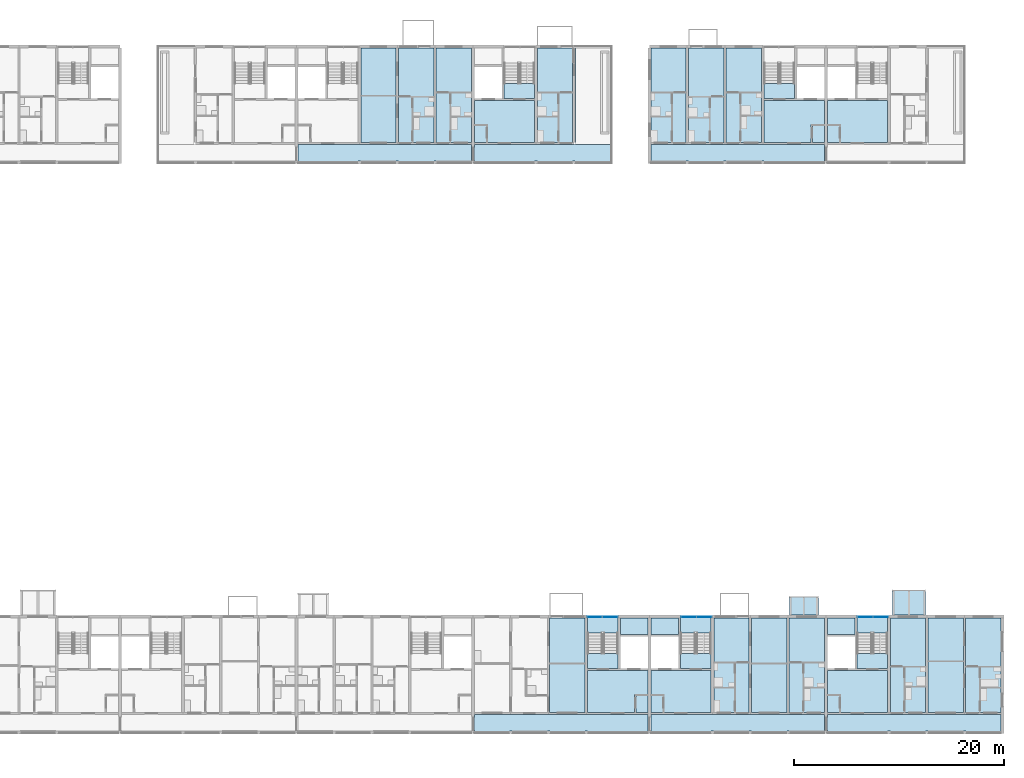
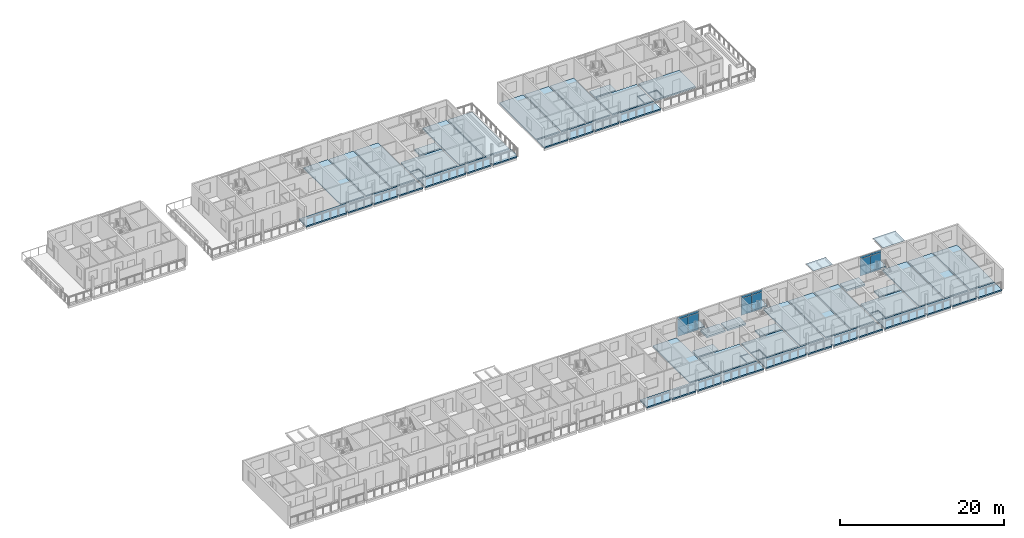
# One storey, part 31 of 94: 46 slabs, 12 plates, 6 elements without a shape of their own.
"""IFC4 building model written with IfcOpenShell, lengths in metres."""

from ifc_helpers import new_model, si_unit, direction, frame, origin, origin_2d, place, context, subcontext, project, spatial, polyline, rectangle, outline, extrude, material, layer, layer_set, type_object, element, aggregate, save


model = new_model("IFC4")

# Units and contexts
model_context = context("Model", 3, precision=1e-05, world=origin(), true_north=direction((0.0, 1.0)))
body_context = subcontext(model_context, "Body", "Model", "MODEL_VIEW")
ifc_project = project(units=[si_unit("LENGTHUNIT", "METRE"), si_unit("AREAUNIT", "SQUARE_METRE"), si_unit("VOLUMEUNIT", "CUBIC_METRE"), si_unit("PLANEANGLEUNIT", "RADIAN"), si_unit("MASSUNIT", "GRAM", prefix="KILO")], contexts=[model_context])

# Site, building, storey
site_placement = place(None, origin())
site = spatial("IfcSite", under=ifc_project, at=site_placement, CompositionType="ELEMENT")
building_placement = place(site_placement, origin())
building = spatial("IfcBuilding", under=site, at=building_placement, Name="Ridgestep Commons", CompositionType="ELEMENT")
storey_placement = place(building_placement, frame((0.0, 0.0, 24.0)))
storey = spatial("IfcBuildingStorey", under=building, at=storey_placement, Name="L08", CompositionType="ELEMENT", Elevation=24.0)

# Slabs
ifc_material_1 = material(Name="Precast concrete C40/50", Category="concrete")
ifc_layer_1 = layer(ifc_material_1, 0.199951171875)
ifc_layer_set_1 = layer_set([ifc_layer_1], Name="Gallery slab 200")
slab_type_1 = type_object("IfcSlabType", Name="Gallery slab 200", PredefinedType="FLOOR", material=ifc_layer_set_1)
slab_1_placement = place(storey_placement, frame((0.0, 0.0, -0.199951171875)))
element("IfcSlab", 1, at=slab_1_placement, inside=storey, type_object=slab_type_1, Name="Gallery slab C3 L08", PredefinedType="FLOOR", context=body_context, shape_type="SweptSolid", body=[
    extrude(outline(polyline([(197.050048828125, 67.800048828125), (180.550048828125, 67.800048828125), (180.550048828125, 66.0), (186.27490234375, 66.0), (186.27490234375, 66.25), (186.52490234375, 66.25), (186.52490234375, 66.0), (189.875, 66.0), (189.875, 66.25), (190.125, 66.25), (190.125, 66.0), (193.47509765625, 66.0), (193.47509765625, 66.25), (193.72509765625, 66.25), (193.72509765625, 66.0), (197.050048828125, 66.0), (197.050048828125, 67.800048828125)])), origin(), (0.0, 0.0, 1.0), 0.199951171875),
])
slab_2_placement = place(storey_placement, frame((0.0, 0.0, -0.199951171875)))
element("IfcSlab", 2, at=slab_2_placement, inside=storey, type_object=slab_type_1, Name="Gallery slab C4 L08", PredefinedType="FLOOR", context=body_context, shape_type="SweptSolid", body=[
    extrude(outline(polyline([(210.39990234375, 67.800048828125), (197.35009765625, 67.800048828125), (197.35009765625, 66.0), (203.074951171875, 66.0), (203.074951171875, 66.25), (203.324951171875, 66.25), (203.324951171875, 66.0), (206.675048828125, 66.0), (206.675048828125, 66.25), (206.925048828125, 66.25), (206.925048828125, 66.0), (210.27490234375, 66.0), (210.27490234375, 66.25), (210.39990234375, 66.25), (210.39990234375, 67.800048828125)])), origin(), (0.0, 0.0, 1.0), 0.199951171875),
])
slab_3_placement = place(storey_placement, frame((0.0, 0.0, -0.199951171875)))
element("IfcSlab", 3, at=slab_3_placement, inside=storey, type_object=slab_type_1, Name="Gallery slab C5 L08", PredefinedType="FLOOR", context=body_context, shape_type="SweptSolid", body=[
    extrude(outline(polyline([(230.64990234375, 67.800048828125), (214.14990234375, 67.800048828125), (214.14990234375, 66.0), (217.47509765625, 66.0), (217.47509765625, 66.25), (217.72509765625, 66.25), (217.72509765625, 66.0), (221.074951171875, 66.0), (221.074951171875, 66.25), (221.324951171875, 66.25), (221.324951171875, 66.0), (224.675048828125, 66.0), (224.675048828125, 66.25), (224.925048828125, 66.25), (224.925048828125, 66.0), (230.64990234375, 66.0), (230.64990234375, 67.800048828125)])), origin(), (0.0, 0.0, 1.0), 0.199951171875),
])
slab_4_placement = place(storey_placement, frame((0.0, 0.0, -0.199951171875)))
element("IfcSlab", 4, at=slab_4_placement, inside=storey, type_object=slab_type_1, Name="Gallery slab D4 L08", PredefinedType="FLOOR", context=body_context, shape_type="SweptSolid", body=[
    extrude(outline(polyline([(213.85009765625, 13.550048828125), (197.35009765625, 13.550048828125), (197.35009765625, 11.75), (200.675048828125, 11.75), (200.675048828125, 12.0), (200.925048828125, 12.0), (200.925048828125, 11.75), (204.27490234375, 11.75), (204.27490234375, 12.0), (204.52490234375, 12.0), (204.52490234375, 11.75), (207.875, 11.75), (207.875, 12.0), (208.125, 12.0), (208.125, 11.75), (213.85009765625, 11.75), (213.85009765625, 13.550048828125)])), origin(), (0.0, 0.0, 1.0), 0.199951171875),
])
slab_5_placement = place(storey_placement, frame((0.0, 0.0, -0.199951171875)))
element("IfcSlab", 5, at=slab_5_placement, inside=storey, type_object=slab_type_1, Name="Gallery slab D5 L08", PredefinedType="FLOOR", context=body_context, shape_type="SweptSolid", body=[
    extrude(outline(polyline([(230.64990234375, 13.550048828125), (214.14990234375, 13.550048828125), (214.14990234375, 11.75), (219.875, 11.75), (219.875, 12.0), (220.125, 12.0), (220.125, 11.75), (223.47509765625, 11.75), (223.47509765625, 12.0), (223.72509765625, 12.0), (223.72509765625, 11.75), (227.074951171875, 11.75), (227.074951171875, 12.0), (227.324951171875, 12.0), (227.324951171875, 11.75), (230.64990234375, 11.75), (230.64990234375, 13.550048828125)])), origin(), (0.0, 0.0, 1.0), 0.199951171875),
])
slab_6_placement = place(storey_placement, frame((0.0, 0.0, -0.199951171875)))
element("IfcSlab", 6, at=slab_6_placement, inside=storey, type_object=slab_type_1, Name="Gallery slab D6 L08", PredefinedType="FLOOR", context=body_context, shape_type="SweptSolid", body=[
    extrude(outline(polyline([(247.449951171875, 13.550048828125), (230.949951171875, 13.550048828125), (230.949951171875, 11.75), (236.675048828125, 11.75), (236.675048828125, 12.0), (236.925048828125, 12.0), (236.925048828125, 11.75), (240.27490234375, 11.75), (240.27490234375, 12.0), (240.52490234375, 12.0), (240.52490234375, 11.75), (243.875, 11.75), (243.875, 12.0), (244.125, 12.0), (244.125, 11.75), (247.449951171875, 11.75), (247.449951171875, 13.550048828125)])), origin(), (0.0, 0.0, 1.0), 0.199951171875),
])

# Curtain wall, plates
ifc_material_2 = material(Name="Aluminium 6063-T6 and glass", Category="aluminium")
curtain_wall_type = type_object("IfcCurtainWallType", Name="Curtain wall stair strip", PredefinedType="NOTDEFINED", material=ifc_material_2)
curtain_wall_1_placement = place(storey_placement, origin())
curtain_wall_1 = element("IfcCurtainWall", 7, at=curtain_wall_1_placement, inside=storey, type_object=curtain_wall_type, Name="Curtain wall D4C level 08", PredefinedType="NOTDEFINED")
ifc_material_3 = material(Name="Glass laminated 6/16/6 low-emissivity", Category="glass")
ifc_layer_2 = layer(ifc_material_3, 0.028076171875)
ifc_layer_set_2 = layer_set([ifc_layer_2], Name="Glazing panel 28")
plate_type_1 = type_object("IfcPlateType", Name="Glazing panel 28", PredefinedType="CURTAIN_PANEL", material=ifc_layer_set_2)
plate_1_placement = place(storey_placement, frame((208.771240234375, 22.830078125, 0.06005859375), z_axis=(0.0, 0.0, 1.0), x_axis=(1.0, 0.0, 0.0)))
plate_1 = element("IfcPlate", 8, at=plate_1_placement, type_object=plate_type_1, Name="CW1 panel 1.1", PredefinedType="CURTAIN_PANEL", context=body_context, shape_type="SweptSolid", body=[
    extrude(rectangle(XDim=1.422607421875, YDim=0.028076171875, at=origin_2d()), origin(), (0.0, 0.0, 1.0), 2.5),
])
plate_2_placement = place(storey_placement, frame((210.253662109375, 22.830078125, 0.06005859375), z_axis=(0.0, 0.0, 1.0), x_axis=(1.0, 0.0, 0.0)))
plate_2 = element("IfcPlate", 9, at=plate_2_placement, type_object=plate_type_1, Name="CW1 panel 2.1", PredefinedType="CURTAIN_PANEL", context=body_context, shape_type="SweptSolid", body=[
    extrude(rectangle(XDim=1.422607421875, YDim=0.028076171875, at=origin_2d()), origin(), (0.0, 0.0, 1.0), 2.5),
])

curtain_wall_2_placement = place(storey_placement, origin())
curtain_wall_2 = element("IfcCurtainWall", 10, at=curtain_wall_2_placement, inside=storey, type_object=curtain_wall_type, Name="Curtain wall D5C level 08", PredefinedType="NOTDEFINED")
plate_3_placement = place(storey_placement, frame((217.746337890625, 22.830078125, 0.06005859375), z_axis=(0.0, 0.0, 1.0), x_axis=(1.0, 0.0, 0.0)))
plate_3 = element("IfcPlate", 11, at=plate_3_placement, type_object=plate_type_1, Name="CW1 panel 1.1", PredefinedType="CURTAIN_PANEL", context=body_context, shape_type="SweptSolid", body=[
    extrude(rectangle(XDim=1.422607421875, YDim=0.028076171875, at=origin_2d()), origin(), (0.0, 0.0, 1.0), 2.5),
])
plate_4_placement = place(storey_placement, frame((219.228759765625, 22.830078125, 0.06005859375), z_axis=(0.0, 0.0, 1.0), x_axis=(1.0, 0.0, 0.0)))
plate_4 = element("IfcPlate", 12, at=plate_4_placement, type_object=plate_type_1, Name="CW1 panel 2.1", PredefinedType="CURTAIN_PANEL", context=body_context, shape_type="SweptSolid", body=[
    extrude(rectangle(XDim=1.422607421875, YDim=0.028076171875, at=origin_2d()), origin(), (0.0, 0.0, 1.0), 2.5),
])

curtain_wall_3_placement = place(storey_placement, origin())
curtain_wall_3 = element("IfcCurtainWall", 13, at=curtain_wall_3_placement, inside=storey, type_object=curtain_wall_type, Name="Curtain wall D6C level 08", PredefinedType="NOTDEFINED")
plate_5_placement = place(storey_placement, frame((234.546142578125, 22.830078125, 0.06005859375), z_axis=(0.0, 0.0, 1.0), x_axis=(1.0, 0.0, 0.0)))
plate_5 = element("IfcPlate", 14, at=plate_5_placement, type_object=plate_type_1, Name="CW1 panel 1.1", PredefinedType="CURTAIN_PANEL", context=body_context, shape_type="SweptSolid", body=[
    extrude(rectangle(XDim=1.422607421875, YDim=0.028076171875, at=origin_2d()), origin(), (0.0, 0.0, 1.0), 2.5),
])
plate_6_placement = place(storey_placement, frame((236.02880859375, 22.830078125, 0.06005859375), z_axis=(0.0, 0.0, 1.0), x_axis=(1.0, 0.0, 0.0)))
plate_6 = element("IfcPlate", 15, at=plate_6_placement, type_object=plate_type_1, Name="CW1 panel 2.1", PredefinedType="CURTAIN_PANEL", context=body_context, shape_type="SweptSolid", body=[
    extrude(rectangle(XDim=1.422607421875, YDim=0.028076171875, at=origin_2d()), origin(), (0.0, 0.0, 1.0), 2.5),
])

# Slabs
ifc_material_4 = material(Name="Precast concrete C50/60", Category="concrete")
ifc_layer_3 = layer(ifc_material_4, 0.199951171875)
ifc_layer_set_3 = layer_set([ifc_layer_3], Name="Hollow-core plank 200")
slab_type_2 = type_object("IfcSlabType", Name="Hollow-core plank 200", PredefinedType="FLOOR", material=ifc_layer_set_3)
slab_7_placement = place(storey_placement, frame((0.0, 0.0, -0.199951171875)))
element("IfcSlab", 16, at=slab_7_placement, inside=storey, type_object=slab_type_2, Name="Floor plank C3T3 L08", PredefinedType="FLOOR", context=body_context, shape_type="SweptSolid", body=[
    extrude(outline(polyline([(189.89990234375, 68.0), (189.89990234375, 77.0), (186.52490234375, 77.0), (186.52490234375, 68.0), (189.89990234375, 68.0)])), origin(), (0.0, 0.0, 1.0), 0.199951171875),
])
slab_8_placement = place(storey_placement, frame((0.0, 0.0, -0.199951171875)))
element("IfcSlab", 17, at=slab_8_placement, inside=storey, type_object=slab_type_2, Name="Floor plank C3T2 L08", PredefinedType="FLOOR", context=body_context, shape_type="SweptSolid", body=[
    extrude(outline(polyline([(193.5, 68.0), (193.5, 77.0), (190.10009765625, 77.0), (190.10009765625, 68.0), (193.5, 68.0)])), origin(), (0.0, 0.0, 1.0), 0.199951171875),
])
slab_9_placement = place(storey_placement, frame((0.0, 0.0, -0.199951171875)))
element("IfcSlab", 18, at=slab_9_placement, inside=storey, type_object=slab_type_2, Name="Floor plank C3T1 L08", PredefinedType="FLOOR", context=body_context, shape_type="SweptSolid", body=[
    extrude(outline(polyline([(197.050048828125, 68.0), (197.050048828125, 77.0), (193.699951171875, 77.0), (193.699951171875, 68.0), (197.050048828125, 68.0)])), origin(), (0.0, 0.0, 1.0), 0.199951171875),
])
slab_10_placement = place(storey_placement, frame((0.0, 0.0, -0.199951171875)))
element("IfcSlab", 19, at=slab_10_placement, inside=storey, type_object=slab_type_2, Name="Floor plank C4T3 L08", PredefinedType="FLOOR", context=body_context, shape_type="SweptSolid", body=[
    extrude(outline(polyline([(206.699951171875, 68.0), (206.699951171875, 77.0), (203.324951171875, 77.0), (203.324951171875, 68.0), (206.699951171875, 68.0)])), origin(), (0.0, 0.0, 1.0), 0.199951171875),
])
slab_11_placement = place(storey_placement, frame((0.0, 0.0, -0.199951171875)))
element("IfcSlab", 20, at=slab_11_placement, inside=storey, type_object=slab_type_2, Name="Floor plank C5T1 L08", PredefinedType="FLOOR", context=body_context, shape_type="SweptSolid", body=[
    extrude(outline(polyline([(217.5, 68.0), (217.5, 77.0), (214.14990234375, 77.0), (214.14990234375, 68.0), (217.5, 68.0)])), origin(), (0.0, 0.0, 1.0), 0.199951171875),
])
slab_12_placement = place(storey_placement, frame((0.0, 0.0, -0.199951171875)))
element("IfcSlab", 21, at=slab_12_placement, inside=storey, type_object=slab_type_2, Name="Floor plank C5T2 L08", PredefinedType="FLOOR", context=body_context, shape_type="SweptSolid", body=[
    extrude(outline(polyline([(221.10009765625, 68.0), (221.10009765625, 77.0), (217.699951171875, 77.0), (217.699951171875, 68.0), (221.10009765625, 68.0)])), origin(), (0.0, 0.0, 1.0), 0.199951171875),
])
slab_13_placement = place(storey_placement, frame((0.0, 0.0, -0.199951171875)))
element("IfcSlab", 22, at=slab_13_placement, inside=storey, type_object=slab_type_2, Name="Floor plank C5T3 L08", PredefinedType="FLOOR", context=body_context, shape_type="SweptSolid", body=[
    extrude(outline(polyline([(224.675048828125, 68.0), (224.675048828125, 77.0), (221.300048828125, 77.0), (221.300048828125, 68.0), (224.675048828125, 68.0)])), origin(), (0.0, 0.0, 1.0), 0.199951171875),
])
slab_14_placement = place(storey_placement, frame((0.0, 0.0, -0.199951171875)))
element("IfcSlab", 23, at=slab_14_placement, inside=storey, type_object=slab_type_2, Name="Floor plank D4T3 L08", PredefinedType="FLOOR", context=body_context, shape_type="SweptSolid", body=[
    extrude(outline(polyline([(207.875, 13.75), (207.875, 22.75), (204.5, 22.75), (204.5, 13.75), (207.875, 13.75)])), origin(), (0.0, 0.0, 1.0), 0.199951171875),
])
slab_15_placement = place(storey_placement, frame((0.0, 0.0, -0.199951171875)))
element("IfcSlab", 24, at=slab_15_placement, inside=storey, type_object=slab_type_2, Name="Floor plank D5T3 L08", PredefinedType="FLOOR", context=body_context, shape_type="SweptSolid", body=[
    extrude(outline(polyline([(223.5, 13.75), (223.5, 22.75), (220.125, 22.75), (220.125, 13.75), (223.5, 13.75)])), origin(), (0.0, 0.0, 1.0), 0.199951171875),
])
slab_16_placement = place(storey_placement, frame((0.0, 0.0, -0.199951171875)))
element("IfcSlab", 25, at=slab_16_placement, inside=storey, type_object=slab_type_2, Name="Floor plank D5T2 L08", PredefinedType="FLOOR", context=body_context, shape_type="SweptSolid", body=[
    extrude(outline(polyline([(227.10009765625, 13.75), (227.10009765625, 22.75), (223.699951171875, 22.75), (223.699951171875, 13.75), (227.10009765625, 13.75)])), origin(), (0.0, 0.0, 1.0), 0.199951171875),
])
slab_17_placement = place(storey_placement, frame((0.0, 0.0, -0.199951171875)))
element("IfcSlab", 26, at=slab_17_placement, inside=storey, type_object=slab_type_2, Name="Floor plank D5T1 L08", PredefinedType="FLOOR", context=body_context, shape_type="SweptSolid", body=[
    extrude(outline(polyline([(230.64990234375, 13.75), (230.64990234375, 22.75), (227.300048828125, 22.75), (227.300048828125, 13.75), (230.64990234375, 13.75)])), origin(), (0.0, 0.0, 1.0), 0.199951171875),
])
slab_18_placement = place(storey_placement, frame((0.0, 0.0, -0.199951171875)))
element("IfcSlab", 27, at=slab_18_placement, inside=storey, type_object=slab_type_2, Name="Floor plank D6T3 L08", PredefinedType="FLOOR", context=body_context, shape_type="SweptSolid", body=[
    extrude(outline(polyline([(240.300048828125, 13.75), (240.300048828125, 22.75), (236.925048828125, 22.75), (236.925048828125, 13.75), (240.300048828125, 13.75)])), origin(), (0.0, 0.0, 1.0), 0.199951171875),
])
slab_19_placement = place(storey_placement, frame((0.0, 0.0, -0.199951171875)))
element("IfcSlab", 28, at=slab_19_placement, inside=storey, type_object=slab_type_2, Name="Floor plank D6T2 L08", PredefinedType="FLOOR", context=body_context, shape_type="SweptSolid", body=[
    extrude(outline(polyline([(243.89990234375, 13.75), (243.89990234375, 22.75), (240.5, 22.75), (240.5, 13.75), (243.89990234375, 13.75)])), origin(), (0.0, 0.0, 1.0), 0.199951171875),
])
slab_20_placement = place(storey_placement, frame((0.0, 0.0, -0.199951171875)))
element("IfcSlab", 29, at=slab_20_placement, inside=storey, type_object=slab_type_2, Name="Floor plank D6T1 L08", PredefinedType="FLOOR", context=body_context, shape_type="SweptSolid", body=[
    extrude(outline(polyline([(247.449951171875, 13.75), (247.449951171875, 22.75), (244.10009765625, 22.75), (244.10009765625, 13.75), (247.449951171875, 13.75)])), origin(), (0.0, 0.0, 1.0), 0.199951171875),
])
ifc_material_5 = material(Name="Precast concrete C50/60", Category="concrete")
ifc_layer_4 = layer(ifc_material_5, 0.25)
ifc_layer_set_4 = layer_set([ifc_layer_4], Name="Hollow-core plank 250")
slab_type_3 = type_object("IfcSlabType", Name="Hollow-core plank 250", PredefinedType="FLOOR", material=ifc_layer_set_4)
slab_21_placement = place(storey_placement, frame((0.0, 0.0, -0.25)))
element("IfcSlab", 30, at=slab_21_placement, inside=storey, type_object=slab_type_3, Name="Floor plank C4C L08", PredefinedType="FLOOR", context=body_context, shape_type="SweptSolid", body=[
    extrude(outline(polyline([(198.60009765625, 68.0), (203.074951171875, 68.0), (203.074951171875, 72.0), (197.35009765625, 72.0), (197.35009765625, 69.719970703125), (198.47998046875, 69.719970703125), (198.60009765625, 69.719970703125), (198.60009765625, 68.0)])), origin(), (0.0, 0.0, 1.0), 0.25),
])
slab_22_placement = place(storey_placement, frame((0.0, 0.0, -0.25)))
element("IfcSlab", 31, at=slab_22_placement, inside=storey, type_object=slab_type_3, Name="Floor plank C4C L08", PredefinedType="FLOOR", context=body_context, shape_type="SweptSolid", body=[
    extrude(outline(polyline([(203.074951171875, 72.199951171875), (203.074951171875, 73.60009765625), (200.175048828125, 73.60009765625), (200.175048828125, 72.199951171875), (203.074951171875, 72.199951171875)])), origin(), (0.0, 0.0, 1.0), 0.25),
])
slab_23_placement = place(storey_placement, frame((0.0, 0.0, -0.25)))
element("IfcSlab", 32, at=slab_23_placement, inside=storey, type_object=slab_type_3, Name="Floor plank C4C L08", PredefinedType="FLOOR", context=body_context, shape_type="SweptSolid", body=[
    extrude(outline(polyline([(198.47998046875, 69.60009765625), (197.35009765625, 69.60009765625), (197.35009765625, 68.0), (198.47998046875, 68.0), (198.47998046875, 69.60009765625)])), origin(), (0.0, 0.0, 1.0), 0.25),
])
slab_24_placement = place(storey_placement, frame((0.0, 0.0, -0.25)))
element("IfcSlab", 33, at=slab_24_placement, inside=storey, type_object=slab_type_3, Name="Floor plank C5C L08", PredefinedType="FLOOR", context=body_context, shape_type="SweptSolid", body=[
    extrude(outline(polyline([(229.52001953125, 69.719970703125), (230.64990234375, 69.719970703125), (230.64990234375, 72.0), (224.925048828125, 72.0), (224.925048828125, 68.0), (229.39990234375, 68.0), (229.39990234375, 69.719970703125), (229.52001953125, 69.719970703125)])), origin(), (0.0, 0.0, 1.0), 0.25),
])
slab_25_placement = place(storey_placement, frame((0.0, 0.0, -0.25)))
element("IfcSlab", 34, at=slab_25_placement, inside=storey, type_object=slab_type_3, Name="Floor plank C5C L08", PredefinedType="FLOOR", context=body_context, shape_type="SweptSolid", body=[
    extrude(outline(polyline([(227.824951171875, 72.199951171875), (227.824951171875, 73.60009765625), (224.925048828125, 73.60009765625), (224.925048828125, 72.199951171875), (227.824951171875, 72.199951171875)])), origin(), (0.0, 0.0, 1.0), 0.25),
])
slab_26_placement = place(storey_placement, frame((0.0, 0.0, -0.25)))
element("IfcSlab", 35, at=slab_26_placement, inside=storey, type_object=slab_type_3, Name="Floor plank C5C L08", PredefinedType="FLOOR", context=body_context, shape_type="SweptSolid", body=[
    extrude(outline(polyline([(229.52001953125, 68.0), (230.64990234375, 68.0), (230.64990234375, 69.60009765625), (229.52001953125, 69.60009765625), (229.52001953125, 68.0)])), origin(), (0.0, 0.0, 1.0), 0.25),
])
slab_27_placement = place(storey_placement, frame((0.0, 0.0, -0.25)))
element("IfcSlab", 36, at=slab_27_placement, inside=storey, type_object=slab_type_3, Name="Floor plank C6C L08", PredefinedType="FLOOR", context=body_context, shape_type="SweptSolid", body=[
    extrude(outline(polyline([(232.199951171875, 68.0), (236.675048828125, 68.0), (236.675048828125, 72.0), (230.949951171875, 72.0), (230.949951171875, 69.719970703125), (232.080078125, 69.719970703125), (232.199951171875, 69.719970703125), (232.199951171875, 68.0)])), origin(), (0.0, 0.0, 1.0), 0.25),
])
slab_28_placement = place(storey_placement, frame((0.0, 0.0, -0.25)))
element("IfcSlab", 37, at=slab_28_placement, inside=storey, type_object=slab_type_3, Name="Floor plank C6C L08", PredefinedType="FLOOR", context=body_context, shape_type="SweptSolid", body=[
    extrude(outline(polyline([(232.080078125, 69.60009765625), (230.949951171875, 69.60009765625), (230.949951171875, 68.0), (232.080078125, 68.0), (232.080078125, 69.60009765625)])), origin(), (0.0, 0.0, 1.0), 0.25),
])
slab_29_placement = place(storey_placement, frame((0.0, 0.0, -0.25)))
element("IfcSlab", 38, at=slab_29_placement, inside=storey, type_object=slab_type_3, Name="Floor plank D4C L08", PredefinedType="FLOOR", context=body_context, shape_type="SweptSolid", body=[
    extrude(outline(polyline([(212.719970703125, 15.469970703125), (213.85009765625, 15.469970703125), (213.85009765625, 17.75), (208.125, 17.75), (208.125, 13.75), (212.60009765625, 13.75), (212.60009765625, 15.469970703125), (212.719970703125, 15.469970703125)])), origin(), (0.0, 0.0, 1.0), 0.25),
])
slab_30_placement = place(storey_placement, frame((0.0, 0.0, -0.25)))
element("IfcSlab", 39, at=slab_30_placement, inside=storey, type_object=slab_type_3, Name="Floor plank D4C L08", PredefinedType="FLOOR", context=body_context, shape_type="SweptSolid", body=[
    extrude(outline(polyline([(213.85009765625, 21.14990234375), (213.85009765625, 22.75), (211.22509765625, 22.75), (211.22509765625, 21.14990234375), (213.85009765625, 21.14990234375)])), origin(), (0.0, 0.0, 1.0), 0.25),
])
slab_31_placement = place(storey_placement, frame((0.0, 0.0, -0.25)))
element("IfcSlab", 40, at=slab_31_placement, inside=storey, type_object=slab_type_3, Name="Floor plank D4C L08", PredefinedType="FLOOR", context=body_context, shape_type="SweptSolid", body=[
    extrude(outline(polyline([(211.02490234375, 17.949951171875), (211.02490234375, 19.35009765625), (208.125, 19.35009765625), (208.125, 17.949951171875), (211.02490234375, 17.949951171875)])), origin(), (0.0, 0.0, 1.0), 0.25),
])
slab_32_placement = place(storey_placement, frame((0.0, 0.0, -0.25)))
element("IfcSlab", 41, at=slab_32_placement, inside=storey, type_object=slab_type_3, Name="Floor plank D4C L08", PredefinedType="FLOOR", context=body_context, shape_type="SweptSolid", body=[
    extrude(outline(polyline([(212.719970703125, 13.75), (213.85009765625, 13.75), (213.85009765625, 15.35009765625), (212.719970703125, 15.35009765625), (212.719970703125, 13.75)])), origin(), (0.0, 0.0, 1.0), 0.25),
])
slab_33_placement = place(storey_placement, frame((0.0, 0.0, -0.25)))
element("IfcSlab", 42, at=slab_33_placement, inside=storey, type_object=slab_type_3, Name="Floor plank D5C L08", PredefinedType="FLOOR", context=body_context, shape_type="SweptSolid", body=[
    extrude(outline(polyline([(215.39990234375, 13.75), (219.875, 13.75), (219.875, 17.75), (214.14990234375, 17.75), (214.14990234375, 15.469970703125), (215.280029296875, 15.469970703125), (215.39990234375, 15.469970703125), (215.39990234375, 13.75)])), origin(), (0.0, 0.0, 1.0), 0.25),
])
slab_34_placement = place(storey_placement, frame((0.0, 0.0, -0.25)))
element("IfcSlab", 43, at=slab_34_placement, inside=storey, type_object=slab_type_3, Name="Floor plank D5C L08", PredefinedType="FLOOR", context=body_context, shape_type="SweptSolid", body=[
    extrude(outline(polyline([(216.77490234375, 22.75), (214.14990234375, 22.75), (214.14990234375, 21.14990234375), (216.77490234375, 21.14990234375), (216.77490234375, 22.75)])), origin(), (0.0, 0.0, 1.0), 0.25),
])
slab_35_placement = place(storey_placement, frame((0.0, 0.0, -0.25)))
element("IfcSlab", 44, at=slab_35_placement, inside=storey, type_object=slab_type_3, Name="Floor plank D5C L08", PredefinedType="FLOOR", context=body_context, shape_type="SweptSolid", body=[
    extrude(outline(polyline([(219.875, 17.949951171875), (219.875, 19.35009765625), (216.97509765625, 19.35009765625), (216.97509765625, 17.949951171875), (219.875, 17.949951171875)])), origin(), (0.0, 0.0, 1.0), 0.25),
])
slab_36_placement = place(storey_placement, frame((0.0, 0.0, -0.25)))
element("IfcSlab", 45, at=slab_36_placement, inside=storey, type_object=slab_type_3, Name="Floor plank D5C L08", PredefinedType="FLOOR", context=body_context, shape_type="SweptSolid", body=[
    extrude(outline(polyline([(215.280029296875, 15.35009765625), (214.14990234375, 15.35009765625), (214.14990234375, 13.75), (215.280029296875, 13.75), (215.280029296875, 15.35009765625)])), origin(), (0.0, 0.0, 1.0), 0.25),
])
slab_37_placement = place(storey_placement, frame((0.0, 0.0, -0.25)))
element("IfcSlab", 46, at=slab_37_placement, inside=storey, type_object=slab_type_3, Name="Floor plank D6C L08", PredefinedType="FLOOR", context=body_context, shape_type="SweptSolid", body=[
    extrude(outline(polyline([(232.199951171875, 13.75), (236.675048828125, 13.75), (236.675048828125, 17.75), (230.949951171875, 17.75), (230.949951171875, 15.469970703125), (232.080078125, 15.469970703125), (232.199951171875, 15.469970703125), (232.199951171875, 13.75)])), origin(), (0.0, 0.0, 1.0), 0.25),
])
slab_38_placement = place(storey_placement, frame((0.0, 0.0, -0.25)))
element("IfcSlab", 47, at=slab_38_placement, inside=storey, type_object=slab_type_3, Name="Floor plank D6C L08", PredefinedType="FLOOR", context=body_context, shape_type="SweptSolid", body=[
    extrude(outline(polyline([(233.574951171875, 22.75), (230.949951171875, 22.75), (230.949951171875, 21.14990234375), (233.574951171875, 21.14990234375), (233.574951171875, 22.75)])), origin(), (0.0, 0.0, 1.0), 0.25),
])
slab_39_placement = place(storey_placement, frame((0.0, 0.0, -0.25)))
element("IfcSlab", 48, at=slab_39_placement, inside=storey, type_object=slab_type_3, Name="Floor plank D6C L08", PredefinedType="FLOOR", context=body_context, shape_type="SweptSolid", body=[
    extrude(outline(polyline([(236.675048828125, 17.949951171875), (236.675048828125, 19.35009765625), (233.77490234375, 19.35009765625), (233.77490234375, 17.949951171875), (236.675048828125, 17.949951171875)])), origin(), (0.0, 0.0, 1.0), 0.25),
])
slab_40_placement = place(storey_placement, frame((0.0, 0.0, -0.25)))
element("IfcSlab", 49, at=slab_40_placement, inside=storey, type_object=slab_type_3, Name="Floor plank D6C L08", PredefinedType="FLOOR", context=body_context, shape_type="SweptSolid", body=[
    extrude(outline(polyline([(232.080078125, 15.35009765625), (230.949951171875, 15.35009765625), (230.949951171875, 13.75), (232.080078125, 13.75), (232.080078125, 15.35009765625)])), origin(), (0.0, 0.0, 1.0), 0.25),
])
ifc_material_6 = material(Name="Precast concrete C50/60", Category="concrete")
ifc_layer_5 = layer(ifc_material_6, 0.25)
ifc_layer_set_5 = layer_set([ifc_layer_5], Name="Roof slab 250")
slab_type_4 = type_object("IfcSlabType", Name="Roof slab 250", PredefinedType="ROOF", material=ifc_layer_set_5)
slab_41_placement = place(storey_placement, frame((0.0, 0.0, -0.25)))
element("IfcSlab", 50, at=slab_41_placement, inside=storey, type_object=slab_type_4, Name="Terrace slab C4T2", PredefinedType="ROOF", context=body_context, shape_type="SweptSolid", body=[
    extrude(outline(polyline([(210.300048828125, 68.0), (210.300048828125, 77.0), (206.89990234375, 77.0), (206.89990234375, 68.0), (210.300048828125, 68.0)])), origin(), (0.0, 0.0, 1.0), 0.25),
])

# Plate
ifc_material_7 = material(Name="Aluminium 6063-T6 and mineral wool", Category="aluminium")
ifc_layer_6 = layer(ifc_material_7, 0.0400390625)
ifc_layer_set_6 = layer_set([ifc_layer_6], Name="Spandrel panel 40")
plate_type_2 = type_object("IfcPlateType", Name="Spandrel panel 40", PredefinedType="CURTAIN_PANEL", material=ifc_layer_set_6)
plate_7_placement = place(storey_placement, frame((208.771240234375, 22.830078125, 2.6201171875), z_axis=(0.0, 0.0, 1.0), x_axis=(1.0, 0.0, 0.0)))
plate_7 = element("IfcPlate", 51, at=plate_7_placement, type_object=plate_type_2, Name="CW1 panel 1.2", PredefinedType="CURTAIN_PANEL", context=body_context, shape_type="SweptSolid", body=[
    extrude(rectangle(XDim=1.422607421875, YDim=0.0400390625, at=origin_2d()), origin(), (0.0, 0.0, 1.0), 0.320068359375),
])

plate_8_placement = place(storey_placement, frame((210.253662109375, 22.830078125, 2.6201171875), z_axis=(0.0, 0.0, 1.0), x_axis=(1.0, 0.0, 0.0)))
plate_8 = element("IfcPlate", 52, at=plate_8_placement, type_object=plate_type_2, Name="CW1 panel 2.2", PredefinedType="CURTAIN_PANEL", context=body_context, shape_type="SweptSolid", body=[
    extrude(rectangle(XDim=1.422607421875, YDim=0.0400390625, at=origin_2d()), origin(), (0.0, 0.0, 1.0), 0.320068359375),
])

aggregate(curtain_wall_1, [plate_1, plate_7, plate_2, plate_8])

plate_9_placement = place(storey_placement, frame((217.746337890625, 22.830078125, 2.6201171875), z_axis=(0.0, 0.0, 1.0), x_axis=(1.0, 0.0, 0.0)))
plate_9 = element("IfcPlate", 53, at=plate_9_placement, type_object=plate_type_2, Name="CW1 panel 1.2", PredefinedType="CURTAIN_PANEL", context=body_context, shape_type="SweptSolid", body=[
    extrude(rectangle(XDim=1.422607421875, YDim=0.0400390625, at=origin_2d()), origin(), (0.0, 0.0, 1.0), 0.320068359375),
])

plate_10_placement = place(storey_placement, frame((219.228759765625, 22.830078125, 2.6201171875), z_axis=(0.0, 0.0, 1.0), x_axis=(1.0, 0.0, 0.0)))
plate_10 = element("IfcPlate", 54, at=plate_10_placement, type_object=plate_type_2, Name="CW1 panel 2.2", PredefinedType="CURTAIN_PANEL", context=body_context, shape_type="SweptSolid", body=[
    extrude(rectangle(XDim=1.422607421875, YDim=0.0400390625, at=origin_2d()), origin(), (0.0, 0.0, 1.0), 0.320068359375),
])

aggregate(curtain_wall_2, [plate_3, plate_9, plate_4, plate_10])

plate_11_placement = place(storey_placement, frame((234.546142578125, 22.830078125, 2.6201171875), z_axis=(0.0, 0.0, 1.0), x_axis=(1.0, 0.0, 0.0)))
plate_11 = element("IfcPlate", 55, at=plate_11_placement, type_object=plate_type_2, Name="CW1 panel 1.2", PredefinedType="CURTAIN_PANEL", context=body_context, shape_type="SweptSolid", body=[
    extrude(rectangle(XDim=1.422607421875, YDim=0.0400390625, at=origin_2d()), origin(), (0.0, 0.0, 1.0), 0.320068359375),
])

plate_12_placement = place(storey_placement, frame((236.02880859375, 22.830078125, 2.6201171875), z_axis=(0.0, 0.0, 1.0), x_axis=(1.0, 0.0, 0.0)))
plate_12 = element("IfcPlate", 56, at=plate_12_placement, type_object=plate_type_2, Name="CW1 panel 2.2", PredefinedType="CURTAIN_PANEL", context=body_context, shape_type="SweptSolid", body=[
    extrude(rectangle(XDim=1.422607421875, YDim=0.0400390625, at=origin_2d()), origin(), (0.0, 0.0, 1.0), 0.320068359375),
])

aggregate(curtain_wall_3, [plate_5, plate_11, plate_6, plate_12])

# Stair, slab
ifc_material_8 = material(Name="Precast concrete C40/50", Category="concrete")
stair_type = type_object("IfcStairType", Name="Escape stair 1400", PredefinedType="HALF_TURN_STAIR", material=ifc_material_8)
stair_1_placement = place(storey_placement, origin())
stair_1 = element("IfcStair", 57, at=stair_1_placement, inside=storey, type_object=stair_type, Name="L08 Escape stair D4C", PredefinedType="HALF_TURN_STAIR")
ifc_material_9 = material(Name="Precast concrete C40/50", Category="concrete")
ifc_layer_7 = layer(ifc_material_9, 0.199951171875)
ifc_layer_set_7 = layer_set([ifc_layer_7], Name="Stair landing 200")
slab_type_5 = type_object("IfcSlabType", Name="Stair landing 200", PredefinedType="LANDING", material=ifc_layer_set_7)
slab_42_placement = place(storey_placement, frame((0.0, 0.0, 1.300048828125)))
slab_42 = element("IfcSlab", 58, at=slab_42_placement, type_object=slab_type_5, Name="D4C landing 1", PredefinedType="LANDING", context=body_context, shape_type="SweptSolid", body=[
    extrude(outline(polyline([(211.02490234375, 21.31005859375), (211.02490234375, 22.75), (208.125, 22.75), (208.125, 21.31005859375), (211.02490234375, 21.31005859375)])), origin(), (0.0, 0.0, 1.0), 0.199951171875),
])
aggregate(stair_1, [slab_42])

stair_2_placement = place(storey_placement, origin())
stair_2 = element("IfcStair", 59, at=stair_2_placement, inside=storey, type_object=stair_type, Name="L08 Escape stair D5C", PredefinedType="HALF_TURN_STAIR")
slab_43_placement = place(storey_placement, frame((0.0, 0.0, 1.300048828125)))
slab_43 = element("IfcSlab", 60, at=slab_43_placement, type_object=slab_type_5, Name="D5C landing 1", PredefinedType="LANDING", context=body_context, shape_type="SweptSolid", body=[
    extrude(outline(polyline([(219.875, 21.31005859375), (219.875, 22.75), (216.97509765625, 22.75), (216.97509765625, 21.31005859375), (219.875, 21.31005859375)])), origin(), (0.0, 0.0, 1.0), 0.199951171875),
])
aggregate(stair_2, [slab_43])

stair_3_placement = place(storey_placement, origin())
stair_3 = element("IfcStair", 61, at=stair_3_placement, inside=storey, type_object=stair_type, Name="L08 Escape stair D6C", PredefinedType="HALF_TURN_STAIR")
slab_44_placement = place(storey_placement, frame((0.0, 0.0, 1.300048828125)))
slab_44 = element("IfcSlab", 62, at=slab_44_placement, type_object=slab_type_5, Name="D6C landing 1", PredefinedType="LANDING", context=body_context, shape_type="SweptSolid", body=[
    extrude(outline(polyline([(236.675048828125, 21.31005859375), (236.675048828125, 22.75), (233.77490234375, 22.75), (233.77490234375, 21.31005859375), (236.675048828125, 21.31005859375)])), origin(), (0.0, 0.0, 1.0), 0.199951171875),
])
aggregate(stair_3, [slab_44])

# Slabs
ifc_material_10 = material(Name="Weathering steel S355J2W", Category="steel")
ifc_layer_8 = layer(ifc_material_10, 0.010009765625)
ifc_layer_set_8 = layer_set([ifc_layer_8], Name="Tray 2.8 x 1.8")
slab_type_6 = type_object("IfcSlabType", Name="Tray 2.8 x 1.8", PredefinedType="FLOOR", material=ifc_layer_set_8)
slab_45_placement = place(storey_placement, frame((0.0, 0.0, 2.989990234375)))
element("IfcSlab", 63, at=slab_45_placement, inside=storey, type_object=slab_type_6, Name="Tray deck D5T1-09", PredefinedType="FLOOR", context=body_context, shape_type="SweptSolid", body=[
    extrude(outline(polyline([(227.330078125, 23.0), (230.070068359375, 23.0), (230.070068359375, 24.800048828125), (227.330078125, 24.800048828125), (227.330078125, 23.0)])), origin(), (0.0, 0.0, 1.0), 0.010009765625),
])
ifc_material_11 = material(Name="Weathering steel S355J2W", Category="steel")
ifc_layer_9 = layer(ifc_material_11, 0.010009765625)
ifc_layer_set_9 = layer_set([ifc_layer_9], Name="Tray 3.2 x 2.4")
slab_type_7 = type_object("IfcSlabType", Name="Tray 3.2 x 2.4", PredefinedType="FLOOR", material=ifc_layer_set_9)
slab_46_placement = place(storey_placement, frame((0.0, 0.0, 2.989990234375)))
element("IfcSlab", 64, at=slab_46_placement, inside=storey, type_object=slab_type_7, Name="Tray deck D6T3-09", PredefinedType="FLOOR", context=body_context, shape_type="SweptSolid", body=[
    extrude(outline(polyline([(237.1298828125, 23.0), (240.27001953125, 23.0), (240.27001953125, 25.39990234375), (237.1298828125, 25.39990234375), (237.1298828125, 23.0)])), origin(), (0.0, 0.0, 1.0), 0.010009765625),
])

save(model, "model.ifc")
